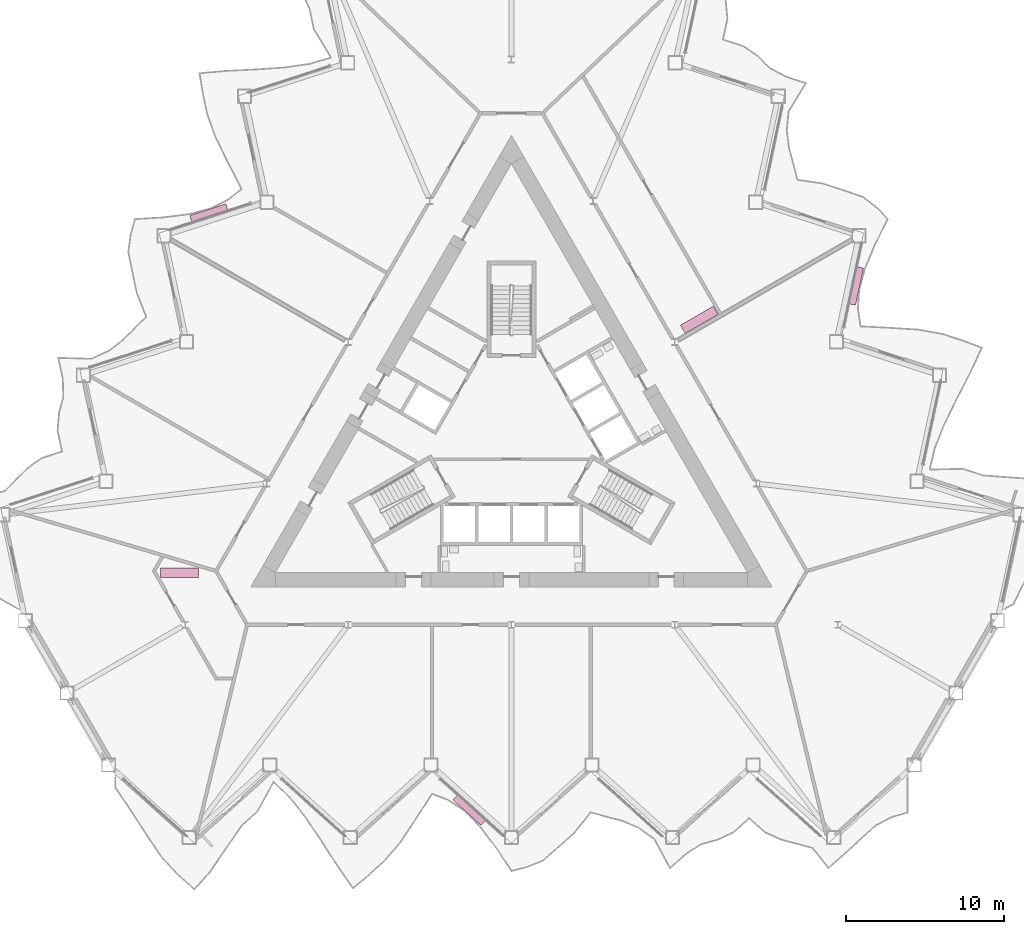
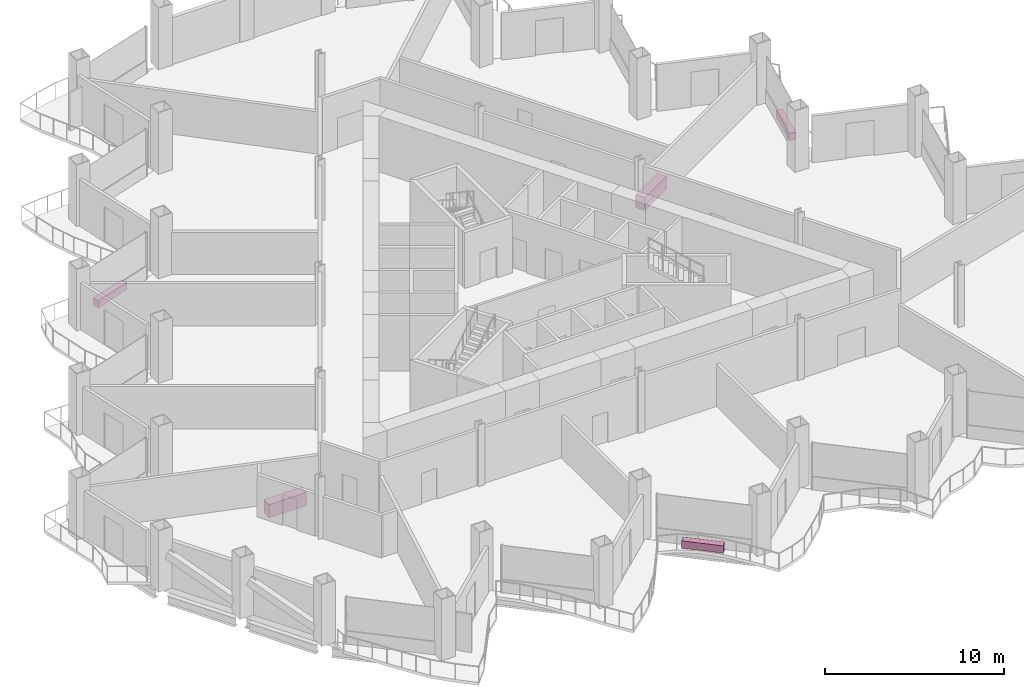
# One storey, part 21 of 21: 5 furniture elements.
"""IFC4 building model written with IfcOpenShell, lengths in metres."""

from ifc_helpers import new_model, si_unit, direction, frame, origin, origin_2d, place, context, subcontext, project, spatial, rectangle, extrude, material, type_object, element, save


model = new_model("IFC4")

# Units and contexts
model_context = context("Model", 3, precision=1e-05, world=origin(), true_north=direction((0.0, 1.0)))
body_context = subcontext(model_context, "Body", "Model", "MODEL_VIEW")
ifc_project = project(units=[si_unit("LENGTHUNIT", "METRE"), si_unit("AREAUNIT", "SQUARE_METRE"), si_unit("VOLUMEUNIT", "CUBIC_METRE"), si_unit("PLANEANGLEUNIT", "RADIAN"), si_unit("MASSUNIT", "GRAM", prefix="KILO")], contexts=[model_context])

# Site, building, storey
site_placement = place(None, origin())
site = spatial("IfcSite", under=ifc_project, at=site_placement, CompositionType="ELEMENT")
building_placement = place(site_placement, origin())
building = spatial("IfcBuilding", under=site, at=building_placement, Name="Cormorant Prow Tower", CompositionType="ELEMENT")
storey_placement = place(building_placement, frame((0.0, 0.0, 116.39990234375)))
storey = spatial("IfcBuildingStorey", under=building, at=storey_placement, Name="L24", CompositionType="ELEMENT", Elevation=116.39990234375)

# Furniture
ifc_material_1 = material(Name="Terracotta", Category="masonry")
furniture_type_1 = type_object("IfcFurnitureType", Name="Balcony planter 2400x400x500", AssemblyPlace="NOTDEFINED", PredefinedType="USERDEFINED", material=ifc_material_1)
for number, where, z_axis, x_axis, name in (
    (1, (-2.67626953125, -23.67041015625, 0.0), (0.0, 0.0, 1.0), (0.74314483343, -0.669130597526, 0.0), "Balcony planter S04"),
    (2, (21.83740234375, 9.517333984375, 0.0), (0.0, 0.0, 1.0), (0.207911647216, 0.978147610002, 0.0), "Balcony planter ENE04"),
    (3, (-19.160888671875, 14.15283203125, 0.0), (0.0, 0.0, 1.0), (-0.951056506231, -0.309017025349, 0.0), "Balcony planter WNW04"),
):
    element("IfcFurniture", number, at=place(storey_placement, frame(where, z_axis=z_axis, x_axis=x_axis)), inside=storey, type_object=furniture_type_1, Name=name, ObjectType="PLANTER", PredefinedType="USERDEFINED", context=body_context, shape_type="SweptSolid", body=[
        extrude(rectangle(XDim=2.39990234375, YDim=0.39990234375, at=origin_2d()), origin(), (0.0, 0.0, 1.0), 0.5),
    ])
ifc_material_2 = material(Name="Timber joinery", Category="wood")
furniture_type_2 = type_object("IfcFurnitureType", Name="Kitchen counter 2400x600", AssemblyPlace="NOTDEFINED", PredefinedType="NOTDEFINED", material=ifc_material_2)
for number, where, z_axis, x_axis, name in (
    (4, (11.885498046875, 7.3759765625, 0.000244140625), (0.0, 0.0, 1.0), (-0.866025403784, -0.5, 0.0), "Kitchen counter"),
    (5, (-21.01025390625, -8.63134765625, 0.000244140625), (0.0, 0.0, 1.0), (1.0, 0.0, 0.0), "Kitchen counter"),
):
    element("IfcFurniture", number, at=place(storey_placement, frame(where, z_axis=z_axis, x_axis=x_axis)), inside=storey, type_object=furniture_type_2, Name=name, PredefinedType="NOTDEFINED", context=body_context, shape_type="SweptSolid", body=[
        extrude(rectangle(XDim=2.39990234375, YDim=0.60009765625, at=origin_2d()), origin(), (0.0, 0.0, 1.0), 0.89990234375),
    ])

save(model, "model.ifc")
